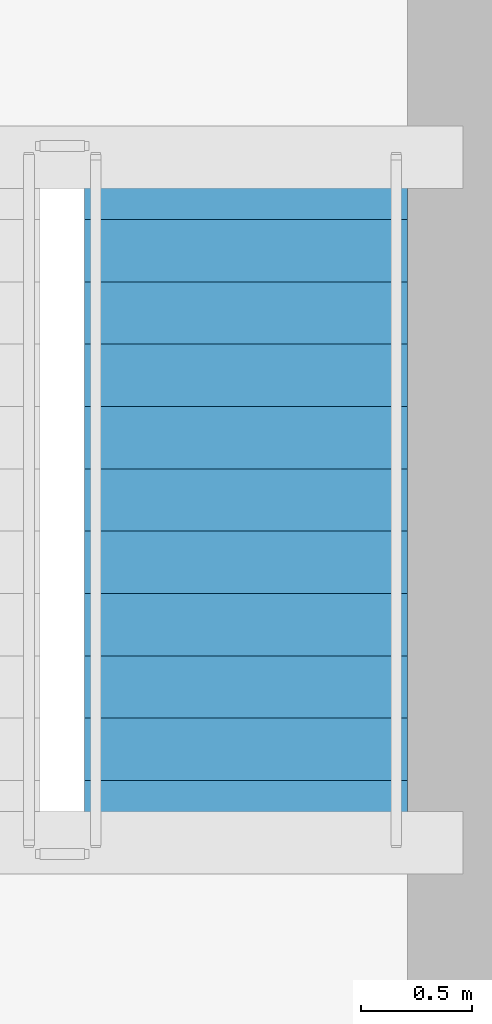
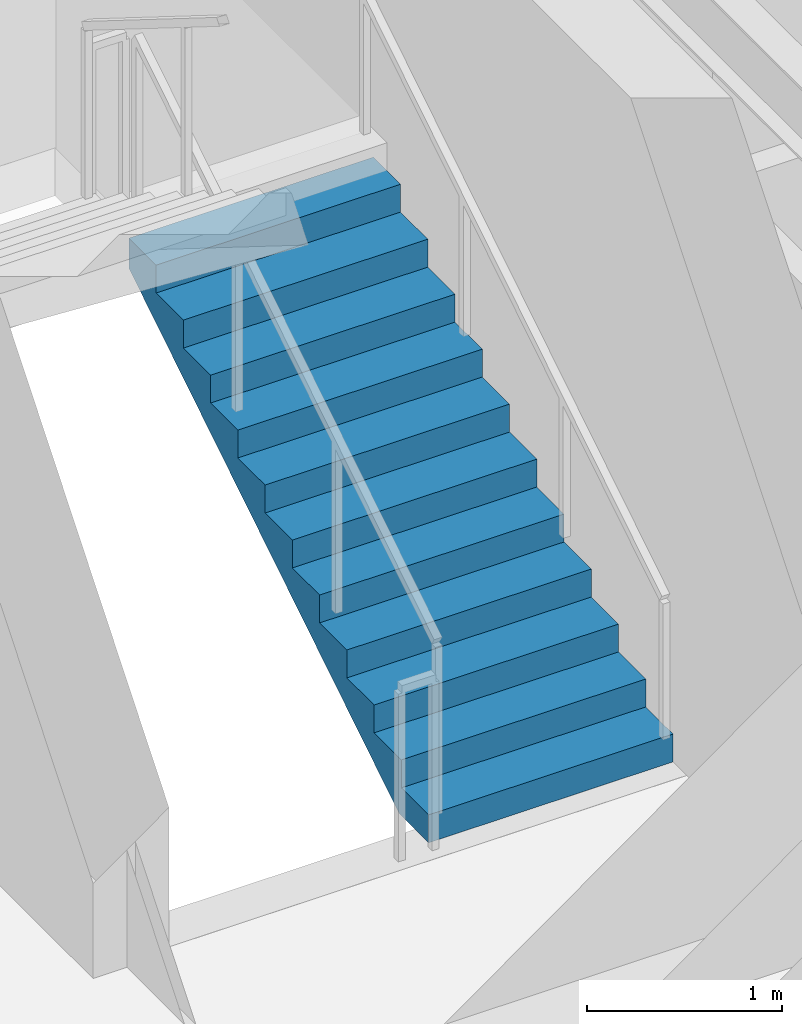
# One storey, part 12 of 15: 1 stair flight, 1 element without a shape of its own.
"""IFC4 building model written with IfcOpenShell, lengths in metres."""

from ifc_helpers import new_model, si_unit, direction, frame, origin, place, context, subcontext, project, spatial, polyline, outline, extrude, material, type_object, element, aggregate, save


model = new_model("IFC4")

# Units and contexts
model_context = context("Model", 3, precision=1e-05, world=origin(), true_north=direction((0.0, 1.0)))
body_context = subcontext(model_context, "Body", "Model", "MODEL_VIEW")
ifc_project = project(units=[si_unit("LENGTHUNIT", "METRE"), si_unit("AREAUNIT", "SQUARE_METRE"), si_unit("VOLUMEUNIT", "CUBIC_METRE"), si_unit("PLANEANGLEUNIT", "RADIAN"), si_unit("MASSUNIT", "GRAM", prefix="KILO")], contexts=[model_context])

# Site, building, storey
site_placement = place(None, origin())
site = spatial("IfcSite", under=ifc_project, at=site_placement, CompositionType="ELEMENT")
building_placement = place(site_placement, origin())
building = spatial("IfcBuilding", under=site, at=building_placement, Name="Korentha Bioscience Tower", CompositionType="ELEMENT")
storey_placement = place(building_placement, frame((0.0, 0.0, 30.0)))
storey = spatial("IfcBuildingStorey", under=building, at=storey_placement, Name="L06", CompositionType="ELEMENT", Elevation=30.0)

# Stair, stair flight
ifc_material = material(Name="Precast Concrete C50", Category="concrete")
stair_type = type_object("IfcStairType", Name="Core Exit Dog-Leg Stair 1450", PredefinedType="HALF_TURN_STAIR", material=ifc_material)
stair_placement = place(storey_placement, origin())
stair = element("IfcStair", 1, at=stair_placement, inside=storey, type_object=stair_type, Name="L06 Tower Central Pressurized Exit Stair ST-3", PredefinedType="HALF_TURN_STAIR")
stair_flight_type = type_object("IfcStairFlightType", Name="Core Exit Dog-Leg Stair 1450 Flight", PredefinedType="STRAIGHT", material=ifc_material)
stair_flight_placement = place(storey_placement, frame((35.925048828125, 24.550048828125, 0.0), z_axis=(0.0, 0.0, 1.0), x_axis=(0.0, 1.0, 0.0)))
stair_flight = element("IfcStairFlight", 2, at=stair_flight_placement, type_object=stair_flight_type, Name="ST-3 flight 1", NumberOfRisers=12, NumberOfTreads=11, PredefinedType="STRAIGHT", RiserHeight=0.175, TreadLength=0.28, context=body_context, shape_type="SweptSolid", body=[
    extrude(outline(polyline([(0.0, 0.0), (0.0, 0.175048828125), (0.280029296875, 0.175048828125), (0.280029296875, 0.35009765625), (0.56005859375, 0.35009765625), (0.56005859375, 0.52490234375), (0.840087890625, 0.52490234375), (0.840087890625, 0.699951171875), (1.1201171875, 0.699951171875), (1.1201171875, 0.875), (1.39990234375, 0.875), (1.39990234375, 1.050048828125), (1.679931640625, 1.050048828125), (1.679931640625, 1.22509765625), (1.9599609375, 1.22509765625), (1.9599609375, 1.39990234375), (2.239990234375, 1.39990234375), (2.239990234375, 1.574951171875), (2.52001953125, 1.574951171875), (2.52001953125, 1.75), (2.800048828125, 1.75), (2.800048828125, 1.925048828125), (3.080078125, 1.925048828125), (3.080078125, 2.10009765625), (3.080078125, 1.736328125), (0.3017578125, 0.0), (0.0, 0.0)])), frame((0.0, 0.72509765625, 0.0), z_axis=(0.0, -1.0, 0.0), x_axis=(1.0, 0.0, 0.0)), (0.0, 0.0, 1.0), 1.449951171875),
])
aggregate(stair, [stair_flight])

save(model, "model.ifc")
